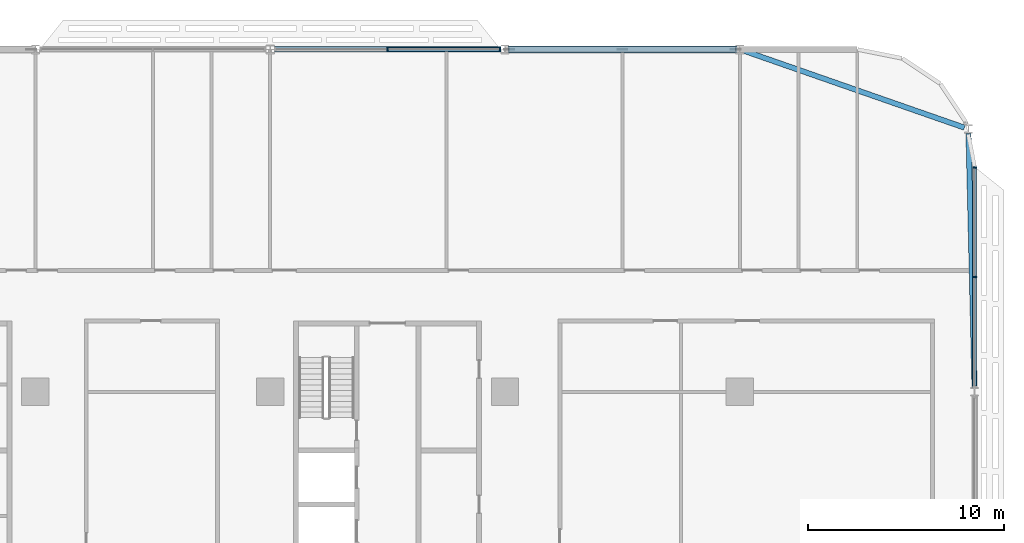
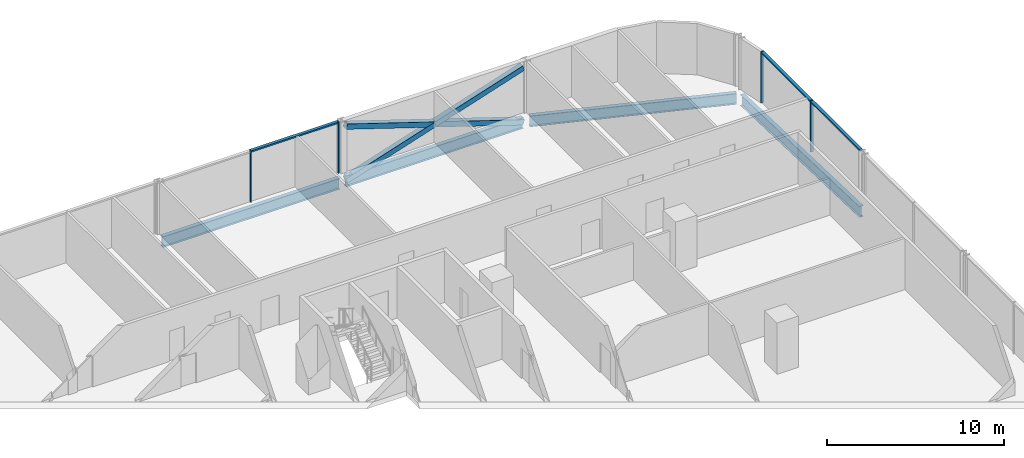
# One storey, part 10 of 29: 10 members, 4 beams, 2 elements without a shape of their own.
"""IFC4 building model written with IfcOpenShell, lengths in metres."""

from ifc_helpers import new_model, si_unit, direction, frame, origin, origin_2d, place, context, subcontext, project, spatial, rectangle, hollow_rectangle, i_section, extrude, material, material_profile, profile_set, type_object, element, aggregate, save


model = new_model("IFC4")

# Units and contexts
model_context = context("Model", 3, precision=1e-05, world=origin(), true_north=direction((0.0, 1.0)))
body_context = subcontext(model_context, "Body", "Model", "MODEL_VIEW")
ifc_project = project(units=[si_unit("LENGTHUNIT", "METRE"), si_unit("AREAUNIT", "SQUARE_METRE"), si_unit("VOLUMEUNIT", "CUBIC_METRE"), si_unit("PLANEANGLEUNIT", "RADIAN"), si_unit("MASSUNIT", "GRAM", prefix="KILO")], contexts=[model_context])

# Site, building, storey
site_placement = place(None, origin())
site = spatial("IfcSite", under=ifc_project, at=site_placement, CompositionType="ELEMENT")
building_placement = place(site_placement, origin())
building = spatial("IfcBuilding", under=site, at=building_placement, Name="Mahtab Terrace Research Tower", CompositionType="ELEMENT")
storey_placement = place(building_placement, frame((0.0, 0.0, 113.5)))
storey = spatial("IfcBuildingStorey", under=building, at=storey_placement, Name="L26", CompositionType="ELEMENT", Elevation=113.5)

# Members
ifc_material_1 = material(Name="Steel ASTM A500 Gr C", Category="steel")
ifc_material_profile_1 = material_profile(ifc_material_1, hollow_rectangle(XDim=0.355712890625, YDim=0.355712890625, WallThickness=0.01904296875, at=origin_2d()), Name="HSS14X14X3/4")
ifc_profile_set_1 = profile_set([ifc_material_profile_1], Name="Steel ASTM A500 Gr C")
member_type_1 = type_object("IfcMemberType", Name="HSS 14x14x3/4 brace XB141434", PredefinedType="BRACE", material=ifc_profile_set_1)
member_1_placement = place(storey_placement, frame((41.79052734375, 29.0, -0.650634765625), z_axis=(-0.951267820326, 0.0, 0.308365909291), x_axis=(0.0, -1.0, 0.0)))
element("IfcMember", 1, at=member_1_placement, inside=storey, type_object=member_type_1, Name="Exoskeleton brace L26 02 a", PredefinedType="BRACE", context=body_context, shape_type="SweptSolid", body=[
    extrude(hollow_rectangle(XDim=0.355712890625, YDim=0.355712890625, WallThickness=0.01904296875, at=origin_2d()), origin(), (0.0, 0.0, 1.0), 12.17431640625),
])
for number, where, z_axis, x_axis, name in (
    (2, (30.20947265625, 29.0, -0.650634765625), (0.951261937662, 0.0, 0.308384055936), (0.0, 1.0, 0.0), "Exoskeleton brace L26 02 b1"),
    (3, (36.0, 29.0, 1.2265625), (0.951273702716, 0.0, 0.30834776231), (0.0, 1.0, 0.0), "Exoskeleton brace L26 02 b2"),
):
    element("IfcMember", number, at=place(storey_placement, frame(where, z_axis=z_axis, x_axis=x_axis)), inside=storey, type_object=member_type_1, Name=name, PredefinedType="BRACE", context=body_context, shape_type="SweptSolid", body=[
        extrude(hollow_rectangle(XDim=0.355712890625, YDim=0.355712890625, WallThickness=0.01904296875, at=origin_2d()), origin(), (0.0, 0.0, 1.0), 6.087158203125),
    ])

# Curtain wall, members
ifc_material_2 = material(Name="Laboratory ribbon curtain wall")
curtain_wall_type = type_object("IfcCurtainWallType", Name="Laboratory ribbon curtain wall", PredefinedType="NOTDEFINED", material=ifc_material_2)
curtain_wall_1_placement = place(storey_placement, origin())
curtain_wall_1 = element("IfcCurtainWall", 4, at=curtain_wall_1_placement, inside=storey, type_object=curtain_wall_type, Name="EN.L26.3.5", PredefinedType="NOTDEFINED")
ifc_material_3 = material(Name="Natural anodised aluminium", Category="aluminium")
ifc_material_profile_2 = material_profile(ifc_material_3, rectangle(XDim=0.199951171875, YDim=0.06494140625, at=origin_2d()), Name="MULLION 65x200")
ifc_profile_set_2 = profile_set([ifc_material_profile_2], Name="Natural anodised aluminium")
member_type_2 = type_object("IfcMemberType", Name="Laboratory ribbon curtain wall mullion", PredefinedType="MULLION", material=ifc_profile_set_2)
member_2_placement = place(storey_placement, frame((29.739501953125, 29.0, 0.0), z_axis=(0.0, 0.0, 1.0), x_axis=(0.0, -1.0, 0.0)))
member_2 = element("IfcMember", 5, at=member_2_placement, type_object=member_type_2, Name="CWL-3 mullion 1", PredefinedType="MULLION", context=body_context, shape_type="SweptSolid", body=[
    extrude(rectangle(XDim=0.199951171875, YDim=0.06494140625, at=origin_2d()), origin(), (0.0, 0.0, 1.0), 3.550048828125),
])
member_3_placement = place(storey_placement, frame((24.0, 29.0, 0.0), z_axis=(0.0, 0.0, 1.0), x_axis=(0.0, -1.0, 0.0)))
member_3 = element("IfcMember", 6, at=member_3_placement, type_object=member_type_2, Name="CWL-3 mullion 2", PredefinedType="MULLION", context=body_context, shape_type="SweptSolid", body=[
    extrude(rectangle(XDim=0.199951171875, YDim=0.06494140625, at=origin_2d()), origin(), (0.0, 0.0, 1.0), 3.550048828125),
])

curtain_wall_2_placement = place(storey_placement, origin())
curtain_wall_2 = element("IfcCurtainWall", 7, at=curtain_wall_2_placement, inside=storey, type_object=curtain_wall_type, Name="EN.L26.18.38", PredefinedType="NOTDEFINED")
member_4_placement = place(storey_placement, frame((54.0, 17.364013671875, 0.0), z_axis=(0.0, 0.0, 1.0), x_axis=(-1.0, 0.0, 0.0)))
member_4 = element("IfcMember", 8, at=member_4_placement, type_object=member_type_2, Name="CWL-3 mullion 2", PredefinedType="MULLION", context=body_context, shape_type="SweptSolid", body=[
    extrude(rectangle(XDim=0.199951171875, YDim=0.06494140625, at=origin_2d()), origin(), (0.0, 0.0, 1.0), 3.550048828125),
])
member_5_placement = place(storey_placement, frame((54.0, 22.967529296875, 0.0), z_axis=(0.0, 0.0, 1.0), x_axis=(-1.0, 0.0, 0.0)))
member_5 = element("IfcMember", 9, at=member_5_placement, type_object=member_type_2, Name="CWL-3 mullion 3", PredefinedType="MULLION", context=body_context, shape_type="SweptSolid", body=[
    extrude(rectangle(XDim=0.199951171875, YDim=0.06494140625, at=origin_2d()), origin(), (0.0, 0.0, 1.0), 3.550048828125),
])

# Member
ifc_material_profile_3 = material_profile(ifc_material_3, rectangle(XDim=0.199951171875, YDim=0.10009765625, at=origin_2d()), Name="TRANSOM 100x200")
ifc_profile_set_3 = profile_set([ifc_material_profile_3], Name="Natural anodised aluminium")
member_type_3 = type_object("IfcMemberType", Name="Laboratory ribbon curtain wall transom", PredefinedType="USERDEFINED", material=ifc_profile_set_3)
member_6_placement = place(storey_placement, frame((29.70703125, 29.0, 3.5), z_axis=(-1.0, 0.0, 0.0), x_axis=(0.0, -1.0, 0.0)))
member_6 = element("IfcMember", 10, at=member_6_placement, type_object=member_type_3, Name="CWL-3 transom 1", ObjectType="TRANSOM", PredefinedType="USERDEFINED", context=body_context, shape_type="SweptSolid", body=[
    extrude(rectangle(XDim=0.199951171875, YDim=0.10009765625, at=origin_2d()), origin(), (0.0, 0.0, 1.0), 5.674560546875),
])

aggregate(curtain_wall_1, [member_2, member_3, member_6])

member_7_placement = place(storey_placement, frame((54.0, 11.79296875, 3.5), z_axis=(0.0, 1.0, 0.0), x_axis=(-1.0, 0.0, 0.0)))
member_7 = element("IfcMember", 11, at=member_7_placement, type_object=member_type_3, Name="CWL-3 transom 1", ObjectType="TRANSOM", PredefinedType="USERDEFINED", context=body_context, shape_type="SweptSolid", body=[
    extrude(rectangle(XDim=0.199951171875, YDim=0.10009765625, at=origin_2d()), origin(), (0.0, 0.0, 1.0), 5.53857421875),
])

member_8_placement = place(storey_placement, frame((54.0, 17.396484375, 3.5), z_axis=(0.0, 1.0, 0.0), x_axis=(-1.0, 0.0, 0.0)))
member_8 = element("IfcMember", 12, at=member_8_placement, type_object=member_type_3, Name="CWL-3 transom 2", ObjectType="TRANSOM", PredefinedType="USERDEFINED", context=body_context, shape_type="SweptSolid", body=[
    extrude(rectangle(XDim=0.199951171875, YDim=0.10009765625, at=origin_2d()), origin(), (0.0, 0.0, 1.0), 5.53857421875),
])

aggregate(curtain_wall_2, [member_4, member_5, member_7, member_8])

# Beams
ifc_material_4 = material(Name="Steel ASTM A992 Gr 50", Category="steel")
ifc_material_profile_4 = material_profile(ifc_material_4, i_section(OverallWidth=0.2666015625, OverallDepth=0.7568359375, WebThickness=0.013916015625, FlangeThickness=0.019287109375, at=origin_2d()), Name="W30X108")
ifc_profile_set_4 = profile_set([ifc_material_profile_4], Name="Steel ASTM A992 Gr 50")
beam_type = type_object("IfcBeamType", Name="W30x108 beam BS30108", PredefinedType="BEAM", material=ifc_profile_set_4)
beam_1_placement = place(storey_placement, frame((53.472412109375, 25.0, -0.718505859375), z_axis=(-0.944250501583, 0.32922786981, 0.0), x_axis=(-0.32922786981, -0.944250501583, 0.0)))
element("IfcBeam", 13, at=beam_1_placement, inside=storey, type_object=beam_type, Name="Spandrel beam L26 01", PredefinedType="BEAM", context=body_context, shape_type="SweptSolid", body=[
    extrude(i_section(OverallWidth=0.2666015625, OverallDepth=0.7568359375, WebThickness=0.013916015625, FlangeThickness=0.019287109375, at=origin_2d()), origin(), (0.0, 0.0, 1.0), 11.927978515625),
])
for number, where, z_axis, x_axis, name in (
    (14, (41.79052734375, 29.0, -0.718505859375), (-1.0, 0.0, 0.0), (0.0, -1.0, 0.0), "Spandrel beam L26 02"),
    (15, (29.79052734375, 29.0, -0.718505859375), (-1.0, 0.0, 0.0), (0.0, -1.0, 0.0), "Spandrel beam L26 03"),
):
    element("IfcBeam", number, at=place(storey_placement, frame(where, z_axis=z_axis, x_axis=x_axis)), inside=storey, type_object=beam_type, Name=name, PredefinedType="BEAM", context=body_context, shape_type="SweptSolid", body=[
        extrude(i_section(OverallWidth=0.2666015625, OverallDepth=0.7568359375, WebThickness=0.013916015625, FlangeThickness=0.019287109375, at=origin_2d()), origin(), (0.0, 0.0, 1.0), 11.5810546875),
    ])
beam_2_placement = place(storey_placement, frame((53.99462890625, 11.727294921875, -0.718505859375), z_axis=(-0.023668910773, 0.99971985209, 0.0), x_axis=(-0.99971985209, -0.023668910773, 0.0)))
element("IfcBeam", 16, at=beam_2_placement, inside=storey, type_object=beam_type, Name="Spandrel beam L26 22", PredefinedType="BEAM", context=body_context, shape_type="SweptSolid", body=[
    extrude(i_section(OverallWidth=0.2666015625, OverallDepth=0.7568359375, WebThickness=0.013916015625, FlangeThickness=0.019287109375, at=origin_2d()), origin(), (0.0, 0.0, 1.0), 12.97607421875),
])

save(model, "model.ifc")
